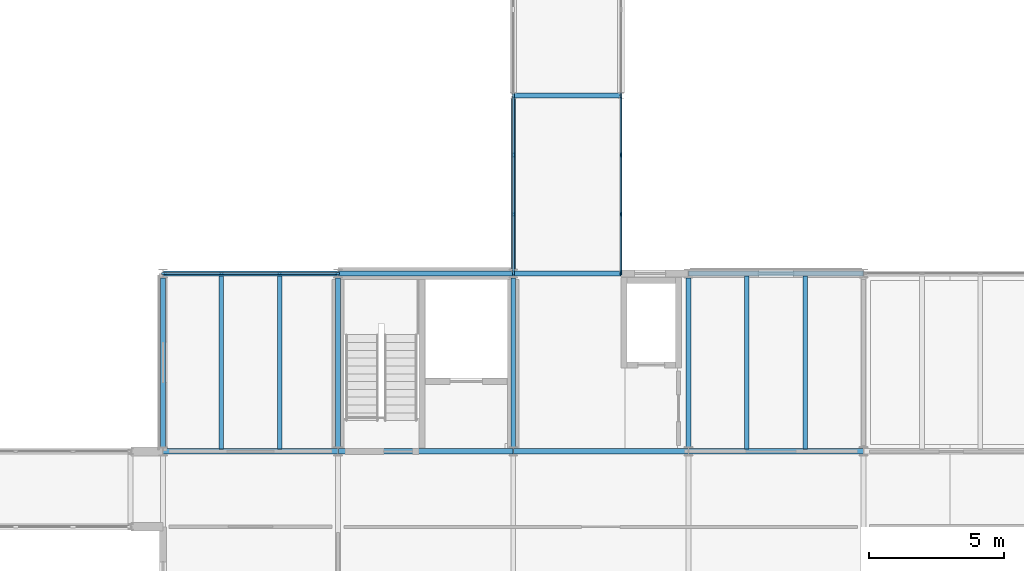
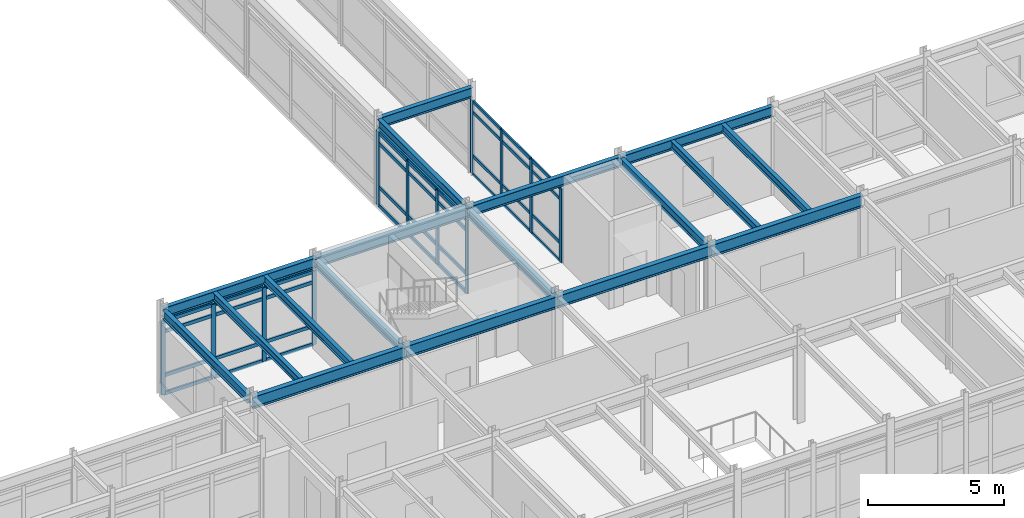
# One storey, part 70 of 144: 50 members, 18 beams, 5 elements without a shape of their own.
"""IFC4 building model written with IfcOpenShell, lengths in metres."""

from ifc_helpers import new_model, si_unit, direction, frame, origin, origin_2d, place, context, subcontext, project, spatial, rectangle, i_section, extrude, material, layer, layer_set, material_profile, profile_set, type_object, element, aggregate, save


model = new_model("IFC4")

# Units and contexts
model_context = context("Model", 3, precision=1e-05, world=origin(), true_north=direction((0.0, 1.0)))
body_context = subcontext(model_context, "Body", "Model", "MODEL_VIEW")
ifc_project = project(units=[si_unit("LENGTHUNIT", "METRE"), si_unit("AREAUNIT", "SQUARE_METRE"), si_unit("VOLUMEUNIT", "CUBIC_METRE"), si_unit("PLANEANGLEUNIT", "RADIAN"), si_unit("MASSUNIT", "GRAM", prefix="KILO")], contexts=[model_context])

# Site, building, storey
site_placement = place(None, origin())
site = spatial("IfcSite", under=ifc_project, at=site_placement, CompositionType="ELEMENT")
building_placement = place(site_placement, origin())
building = spatial("IfcBuilding", under=site, at=building_placement, Name="Trelmorton Wharf Fire Station", CompositionType="ELEMENT")
storey_placement = place(building_placement, frame((0.0, 0.0, 5.39990234375)))
storey = spatial("IfcBuildingStorey", under=building, at=storey_placement, Name="L01", CompositionType="ELEMENT", Elevation=5.39990234375)

# Beams
ifc_material_1 = material(Name="Steel Grade 350", Category="steel")
ifc_material_profile_1 = material_profile(ifc_material_1, i_section(OverallWidth=0.177978515625, OverallDepth=0.406005859375, WebThickness=0.0078125, FlangeThickness=0.0126953125, FilletRadius=0.011474609375, at=origin_2d()), Name="410UB59.7")
ifc_profile_set_1 = profile_set([ifc_material_profile_1], Name="Steel Grade 350")
beam_type_1 = type_object("IfcBeamType", Name="BM_410UB60", PredefinedType="BEAM", material=ifc_profile_set_1)
for number, where, z_axis, x_axis, name in (
    (1, (104.0, 21.159423828125, 3.72705078125), (0.0, 1.0, 0.0), (-1.0, 0.0, 0.0), "BM-L01-0618"),
    (2, (110.5, 21.159423828125, 3.72705078125), (0.0, 1.0, 0.0), (-1.0, 0.0, 0.0), "BM-L01-0624"),
    (3, (117.0, 21.159423828125, 3.72705078125), (0.0, 1.0, 0.0), (-1.0, 0.0, 0.0), "BM-L01-0630"),
):
    element("IfcBeam", number, at=place(storey_placement, frame(where, z_axis=z_axis, x_axis=x_axis)), inside=storey, type_object=beam_type_1, Name=name, PredefinedType="BEAM", context=body_context, shape_type="SweptSolid", body=[
        extrude(i_section(OverallWidth=0.177978515625, OverallDepth=0.406005859375, WebThickness=0.0078125, FlangeThickness=0.0126953125, FilletRadius=0.011474609375, at=origin_2d()), origin(), (0.0, 0.0, 1.0), 6.281005859375),
    ])
beam_1_placement = place(storey_placement, frame((117.0, 27.759521484375, 3.72705078125), z_axis=(0.0, 1.0, 0.0), x_axis=(-1.0, 0.0, 0.0)))
element("IfcBeam", 4, at=beam_1_placement, inside=storey, type_object=beam_type_1, Name="BM-L01-0631", PredefinedType="BEAM", context=body_context, shape_type="SweptSolid", body=[
    extrude(i_section(OverallWidth=0.177978515625, OverallDepth=0.406005859375, WebThickness=0.0078125, FlangeThickness=0.0126953125, FilletRadius=0.011474609375, at=origin_2d()), origin(), (0.0, 0.0, 1.0), 6.339599609375),
])
beam_2_placement = place(storey_placement, frame((123.5, 21.159423828125, 3.72705078125), z_axis=(0.0, 1.0, 0.0), x_axis=(-1.0, 0.0, 0.0)))
element("IfcBeam", 5, at=beam_2_placement, inside=storey, type_object=beam_type_1, Name="BM-L01-0642", PredefinedType="BEAM", context=body_context, shape_type="SweptSolid", body=[
    extrude(i_section(OverallWidth=0.177978515625, OverallDepth=0.406005859375, WebThickness=0.0078125, FlangeThickness=0.0126953125, FilletRadius=0.011474609375, at=origin_2d()), origin(), (0.0, 0.0, 1.0), 6.281005859375),
])
ifc_material_profile_2 = material_profile(ifc_material_1, i_section(OverallWidth=0.208984375, OverallDepth=0.528076171875, WebThickness=0.009521484375, FlangeThickness=0.01318359375, FilletRadius=0.013916015625, at=origin_2d()), Name="530UB82.0")
ifc_profile_set_2 = profile_set([ifc_material_profile_2], Name="Steel Grade 350")
beam_type_2 = type_object("IfcBeamType", Name="BM_530UB82", PredefinedType="BEAM", material=ifc_profile_set_2)
for number, where, z_axis, x_axis, name in (
    (6, (104.005859375, 21.0, 3.666015625), (1.0, 0.0, 0.0), (0.0, 1.0, 0.0), "BM-L01-0443"),
    (7, (110.505859375, 21.0, 3.666015625), (1.0, 0.0, 0.0), (0.0, 1.0, 0.0), "BM-L01-0444"),
    (8, (117.005859375, 21.0, 3.666015625), (1.0, 0.0, 0.0), (0.0, 1.0, 0.0), "BM-L01-0445"),
    (9, (123.505859375, 21.0, 3.666015625), (1.0, 0.0, 0.0), (0.0, 1.0, 0.0), "BM-L01-0446"),
):
    element("IfcBeam", number, at=place(storey_placement, frame(where, z_axis=z_axis, x_axis=x_axis)), inside=storey, type_object=beam_type_2, Name=name, PredefinedType="BEAM", context=body_context, shape_type="SweptSolid", body=[
        extrude(i_section(OverallWidth=0.208984375, OverallDepth=0.528076171875, WebThickness=0.009521484375, FlangeThickness=0.01318359375, FilletRadius=0.013916015625, at=origin_2d()), origin(), (0.0, 0.0, 1.0), 6.48828125),
    ])

# Curtain wall, members
ifc_material_2 = material(Name="Anodised aluminium AW-6063", Category="aluminium")
ifc_layer_1 = layer(ifc_material_2, 0.139892578125)
ifc_layer_set_1 = layer_set([ifc_layer_1], Name="Anodised aluminium AW-6063")
curtain_wall_type_1 = type_object("IfcCurtainWallType", Name="CW_BRDG_A", PredefinedType="USERDEFINED", material=ifc_layer_set_1)
curtain_wall_1_placement = place(storey_placement, origin())
curtain_wall_1 = element("IfcCurtainWall", 10, at=curtain_wall_1_placement, inside=storey, type_object=curtain_wall_type_1, Name="CW-BR-L01-161", ObjectType="UNITISED CURTAIN WALL", PredefinedType="USERDEFINED")
ifc_material_profile_3 = material_profile(ifc_material_2, rectangle(XDim=0.06494140625, YDim=0.159912109375, at=origin_2d()), Name="ALU-65x160")
ifc_profile_set_3 = profile_set([ifc_material_profile_3], Name="Anodised aluminium AW-6063")
member_type_1 = type_object("IfcMemberType", Name="CWM_65x160", PredefinedType="MULLION", material=ifc_profile_set_3)
member_1_placement = place(storey_placement, frame((121.0, 34.1650390625, 0.0), z_axis=(0.0, 0.0, 1.0), x_axis=(1.0, 0.0, 0.0)))
member_1 = element("IfcMember", 11, at=member_1_placement, type_object=member_type_1, Name="CW4 mullion 1", PredefinedType="MULLION", context=body_context, shape_type="SweptSolid", body=[
    extrude(rectangle(XDim=0.06494140625, YDim=0.159912109375, at=origin_2d()), origin(), (0.0, 0.0, 1.0), 3.320068359375),
])
member_2_placement = place(storey_placement, frame((121.0, 31.998291015625, 0.0), z_axis=(0.0, 0.0, 1.0), x_axis=(1.0, 0.0, 0.0)))
member_2 = element("IfcMember", 12, at=member_2_placement, type_object=member_type_1, Name="CW4 mullion 2", PredefinedType="MULLION", context=body_context, shape_type="SweptSolid", body=[
    extrude(rectangle(XDim=0.06494140625, YDim=0.159912109375, at=origin_2d()), origin(), (0.0, 0.0, 1.0), 3.320068359375),
])
member_3_placement = place(storey_placement, frame((121.0, 29.8017578125, 0.0), z_axis=(0.0, 0.0, 1.0), x_axis=(1.0, 0.0, 0.0)))
member_3 = element("IfcMember", 13, at=member_3_placement, type_object=member_type_1, Name="CW4 mullion 3", PredefinedType="MULLION", context=body_context, shape_type="SweptSolid", body=[
    extrude(rectangle(XDim=0.06494140625, YDim=0.159912109375, at=origin_2d()), origin(), (0.0, 0.0, 1.0), 3.320068359375),
])
member_4_placement = place(storey_placement, frame((121.0, 27.635009765625, 0.0), z_axis=(0.0, 0.0, 1.0), x_axis=(1.0, 0.0, 0.0)))
member_4 = element("IfcMember", 14, at=member_4_placement, type_object=member_type_1, Name="CW4 mullion 4", PredefinedType="MULLION", context=body_context, shape_type="SweptSolid", body=[
    extrude(rectangle(XDim=0.06494140625, YDim=0.159912109375, at=origin_2d()), origin(), (0.0, 0.0, 1.0), 3.320068359375),
])

# Curtain wall, member
curtain_wall_2_placement = place(storey_placement, origin())
curtain_wall_2 = element("IfcCurtainWall", 15, at=curtain_wall_2_placement, inside=storey, type_object=curtain_wall_type_1, Name="CW-BR-L01-163", ObjectType="UNITISED CURTAIN WALL", PredefinedType="USERDEFINED")
member_5_placement = place(storey_placement, frame((121.0, 34.235107421875, 0.0), z_axis=(0.0, 0.0, 1.0), x_axis=(1.0, 0.0, 0.0)))
member_5 = element("IfcMember", 16, at=member_5_placement, type_object=member_type_1, Name="CW4 mullion 4", PredefinedType="MULLION", context=body_context, shape_type="SweptSolid", body=[
    extrude(rectangle(XDim=0.06494140625, YDim=0.159912109375, at=origin_2d()), origin(), (0.0, 0.0, 1.0), 3.320068359375),
])
aggregate(curtain_wall_2, [member_5])

# Curtain wall, members
ifc_layer_2 = layer(ifc_material_2, 0.14990234375)
ifc_layer_set_2 = layer_set([ifc_layer_2], Name="Anodised aluminium AW-6063")
curtain_wall_type_2 = type_object("IfcCurtainWallType", Name="CW_UNIT_A", PredefinedType="USERDEFINED", material=ifc_layer_set_2)
curtain_wall_3_placement = place(storey_placement, origin())
curtain_wall_3 = element("IfcCurtainWall", 17, at=curtain_wall_3_placement, inside=storey, type_object=curtain_wall_type_2, Name="CW-V5-L01-046", ObjectType="UNITISED CURTAIN WALL", PredefinedType="USERDEFINED")
ifc_material_profile_4 = material_profile(ifc_material_2, rectangle(XDim=0.074951171875, YDim=0.175048828125, at=origin_2d()), Name="ALU-75x175")
ifc_profile_set_4 = profile_set([ifc_material_profile_4], Name="Anodised aluminium AW-6063")
member_type_2 = type_object("IfcMemberType", Name="CWM_75x175", PredefinedType="MULLION", material=ifc_profile_set_4)
member_6_placement = place(storey_placement, frame((104.034912109375, 27.60009765625, 0.0), z_axis=(0.0, 0.0, 1.0), x_axis=(0.0, 1.0, 0.0)))
member_6 = element("IfcMember", 18, at=member_6_placement, type_object=member_type_2, Name="CW3 mullion 1", PredefinedType="MULLION", context=body_context, shape_type="SweptSolid", body=[
    extrude(rectangle(XDim=0.074951171875, YDim=0.175048828125, at=origin_2d()), origin(), (0.0, 0.0, 1.0), 3.320068359375),
])
member_7_placement = place(storey_placement, frame((106.168212890625, 27.60009765625, 0.0), z_axis=(0.0, 0.0, 1.0), x_axis=(0.0, 1.0, 0.0)))
member_7 = element("IfcMember", 19, at=member_7_placement, type_object=member_type_2, Name="CW3 mullion 2", PredefinedType="MULLION", context=body_context, shape_type="SweptSolid", body=[
    extrude(rectangle(XDim=0.074951171875, YDim=0.175048828125, at=origin_2d()), origin(), (0.0, 0.0, 1.0), 3.320068359375),
])
member_8_placement = place(storey_placement, frame((108.331787109375, 27.60009765625, 0.0), z_axis=(0.0, 0.0, 1.0), x_axis=(0.0, 1.0, 0.0)))
member_8 = element("IfcMember", 20, at=member_8_placement, type_object=member_type_2, Name="CW3 mullion 3", PredefinedType="MULLION", context=body_context, shape_type="SweptSolid", body=[
    extrude(rectangle(XDim=0.074951171875, YDim=0.175048828125, at=origin_2d()), origin(), (0.0, 0.0, 1.0), 3.320068359375),
])
member_9_placement = place(storey_placement, frame((110.465087890625, 27.60009765625, 0.0), z_axis=(0.0, 0.0, 1.0), x_axis=(0.0, 1.0, 0.0)))
member_9 = element("IfcMember", 21, at=member_9_placement, type_object=member_type_2, Name="CW3 mullion 4", PredefinedType="MULLION", context=body_context, shape_type="SweptSolid", body=[
    extrude(rectangle(XDim=0.074951171875, YDim=0.175048828125, at=origin_2d()), origin(), (0.0, 0.0, 1.0), 3.320068359375),
])

curtain_wall_4_placement = place(storey_placement, origin())
curtain_wall_4 = element("IfcCurtainWall", 22, at=curtain_wall_4_placement, inside=storey, type_object=curtain_wall_type_1, Name="CW-BR-L01-160", ObjectType="UNITISED CURTAIN WALL", PredefinedType="USERDEFINED")
member_10_placement = place(storey_placement, frame((117.0, 27.635009765625, 0.0), z_axis=(0.0, 0.0, 1.0), x_axis=(-1.0, 0.0, 0.0)))
member_10 = element("IfcMember", 23, at=member_10_placement, type_object=member_type_2, Name="CW4 mullion 1", PredefinedType="MULLION", context=body_context, shape_type="SweptSolid", body=[
    extrude(rectangle(XDim=0.074951171875, YDim=0.175048828125, at=origin_2d()), origin(), (0.0, 0.0, 1.0), 3.320068359375),
])
member_11_placement = place(storey_placement, frame((117.0, 29.8017578125, 0.0), z_axis=(0.0, 0.0, 1.0), x_axis=(-1.0, 0.0, 0.0)))
member_11 = element("IfcMember", 24, at=member_11_placement, type_object=member_type_2, Name="CW4 mullion 2", PredefinedType="MULLION", context=body_context, shape_type="SweptSolid", body=[
    extrude(rectangle(XDim=0.074951171875, YDim=0.175048828125, at=origin_2d()), origin(), (0.0, 0.0, 1.0), 3.320068359375),
])
member_12_placement = place(storey_placement, frame((117.0, 31.998291015625, 0.0), z_axis=(0.0, 0.0, 1.0), x_axis=(-1.0, 0.0, 0.0)))
member_12 = element("IfcMember", 25, at=member_12_placement, type_object=member_type_2, Name="CW4 mullion 3", PredefinedType="MULLION", context=body_context, shape_type="SweptSolid", body=[
    extrude(rectangle(XDim=0.074951171875, YDim=0.175048828125, at=origin_2d()), origin(), (0.0, 0.0, 1.0), 3.320068359375),
])
member_13_placement = place(storey_placement, frame((117.0, 34.1650390625, 0.0), z_axis=(0.0, 0.0, 1.0), x_axis=(-1.0, 0.0, 0.0)))
member_13 = element("IfcMember", 26, at=member_13_placement, type_object=member_type_2, Name="CW4 mullion 4", PredefinedType="MULLION", context=body_context, shape_type="SweptSolid", body=[
    extrude(rectangle(XDim=0.074951171875, YDim=0.175048828125, at=origin_2d()), origin(), (0.0, 0.0, 1.0), 3.320068359375),
])

# Curtain wall, member
curtain_wall_5_placement = place(storey_placement, origin())
curtain_wall_5 = element("IfcCurtainWall", 27, at=curtain_wall_5_placement, inside=storey, type_object=curtain_wall_type_1, Name="CW-BR-L01-162", ObjectType="UNITISED CURTAIN WALL", PredefinedType="USERDEFINED")
member_14_placement = place(storey_placement, frame((117.0, 34.235107421875, 0.0), z_axis=(0.0, 0.0, 1.0), x_axis=(-1.0, 0.0, 0.0)))
member_14 = element("IfcMember", 28, at=member_14_placement, type_object=member_type_2, Name="CW4 mullion 1", PredefinedType="MULLION", context=body_context, shape_type="SweptSolid", body=[
    extrude(rectangle(XDim=0.074951171875, YDim=0.175048828125, at=origin_2d()), origin(), (0.0, 0.0, 1.0), 3.320068359375),
])
aggregate(curtain_wall_5, [member_14])

# Member
ifc_material_profile_5 = material_profile(ifc_material_2, rectangle(XDim=0.06494140625, YDim=0.139892578125, at=origin_2d()), Name="ALU-65x140")
ifc_profile_set_5 = profile_set([ifc_material_profile_5], Name="Anodised aluminium AW-6063")
member_type_3 = type_object("IfcMemberType", Name="CWT_65x140", PredefinedType="USERDEFINED", material=ifc_profile_set_5)
member_15_placement = place(storey_placement, frame((121.0, 34.135009765625, 0.030029296875), z_axis=(0.0, -1.0, 0.0), x_axis=(1.0, 0.0, 0.0)))
member_15 = element("IfcMember", 29, at=member_15_placement, type_object=member_type_3, Name="CW4 transom 1.1", ObjectType="TRANSOM", PredefinedType="USERDEFINED", context=body_context, shape_type="SweptSolid", body=[
    extrude(rectangle(XDim=0.06494140625, YDim=0.139892578125, at=origin_2d()), origin(), (0.0, 0.0, 1.0), 2.106689453125),
])

member_16_placement = place(storey_placement, frame((121.0, 34.135009765625, 0.85009765625), z_axis=(0.0, -1.0, 0.0), x_axis=(1.0, 0.0, 0.0)))
member_16 = element("IfcMember", 30, at=member_16_placement, type_object=member_type_3, Name="CW4 transom 1.2", ObjectType="TRANSOM", PredefinedType="USERDEFINED", context=body_context, shape_type="SweptSolid", body=[
    extrude(rectangle(XDim=0.06494140625, YDim=0.139892578125, at=origin_2d()), origin(), (0.0, 0.0, 1.0), 2.106689453125),
])

member_17_placement = place(storey_placement, frame((121.0, 34.135009765625, 2.820068359375), z_axis=(0.0, -1.0, 0.0), x_axis=(1.0, 0.0, 0.0)))
member_17 = element("IfcMember", 31, at=member_17_placement, type_object=member_type_3, Name="CW4 transom 1.3", ObjectType="TRANSOM", PredefinedType="USERDEFINED", context=body_context, shape_type="SweptSolid", body=[
    extrude(rectangle(XDim=0.06494140625, YDim=0.139892578125, at=origin_2d()), origin(), (0.0, 0.0, 1.0), 2.106689453125),
])

member_18_placement = place(storey_placement, frame((121.0, 34.135009765625, 3.2900390625), z_axis=(0.0, -1.0, 0.0), x_axis=(1.0, 0.0, 0.0)))
member_18 = element("IfcMember", 32, at=member_18_placement, type_object=member_type_3, Name="CW4 transom 1.4", ObjectType="TRANSOM", PredefinedType="USERDEFINED", context=body_context, shape_type="SweptSolid", body=[
    extrude(rectangle(XDim=0.06494140625, YDim=0.139892578125, at=origin_2d()), origin(), (0.0, 0.0, 1.0), 2.106689453125),
])

member_19_placement = place(storey_placement, frame((121.0, 31.96826171875, 0.030029296875), z_axis=(0.0, -1.0, 0.0), x_axis=(1.0, 0.0, 0.0)))
member_19 = element("IfcMember", 33, at=member_19_placement, type_object=member_type_3, Name="CW4 transom 2.1", ObjectType="TRANSOM", PredefinedType="USERDEFINED", context=body_context, shape_type="SweptSolid", body=[
    extrude(rectangle(XDim=0.06494140625, YDim=0.139892578125, at=origin_2d()), origin(), (0.0, 0.0, 1.0), 2.136474609375),
])

member_20_placement = place(storey_placement, frame((121.0, 31.96826171875, 0.85009765625), z_axis=(0.0, -1.0, 0.0), x_axis=(1.0, 0.0, 0.0)))
member_20 = element("IfcMember", 34, at=member_20_placement, type_object=member_type_3, Name="CW4 transom 2.2", ObjectType="TRANSOM", PredefinedType="USERDEFINED", context=body_context, shape_type="SweptSolid", body=[
    extrude(rectangle(XDim=0.06494140625, YDim=0.139892578125, at=origin_2d()), origin(), (0.0, 0.0, 1.0), 2.136474609375),
])

member_21_placement = place(storey_placement, frame((121.0, 31.96826171875, 2.820068359375), z_axis=(0.0, -1.0, 0.0), x_axis=(1.0, 0.0, 0.0)))
member_21 = element("IfcMember", 35, at=member_21_placement, type_object=member_type_3, Name="CW4 transom 2.3", ObjectType="TRANSOM", PredefinedType="USERDEFINED", context=body_context, shape_type="SweptSolid", body=[
    extrude(rectangle(XDim=0.06494140625, YDim=0.139892578125, at=origin_2d()), origin(), (0.0, 0.0, 1.0), 2.136474609375),
])

member_22_placement = place(storey_placement, frame((121.0, 31.96826171875, 3.2900390625), z_axis=(0.0, -1.0, 0.0), x_axis=(1.0, 0.0, 0.0)))
member_22 = element("IfcMember", 36, at=member_22_placement, type_object=member_type_3, Name="CW4 transom 2.4", ObjectType="TRANSOM", PredefinedType="USERDEFINED", context=body_context, shape_type="SweptSolid", body=[
    extrude(rectangle(XDim=0.06494140625, YDim=0.139892578125, at=origin_2d()), origin(), (0.0, 0.0, 1.0), 2.136474609375),
])

member_23_placement = place(storey_placement, frame((121.0, 29.771728515625, 0.030029296875), z_axis=(0.0, -1.0, 0.0), x_axis=(1.0, 0.0, 0.0)))
member_23 = element("IfcMember", 37, at=member_23_placement, type_object=member_type_3, Name="CW4 transom 3.1", ObjectType="TRANSOM", PredefinedType="USERDEFINED", context=body_context, shape_type="SweptSolid", body=[
    extrude(rectangle(XDim=0.06494140625, YDim=0.139892578125, at=origin_2d()), origin(), (0.0, 0.0, 1.0), 2.106689453125),
])

member_24_placement = place(storey_placement, frame((121.0, 29.771728515625, 0.85009765625), z_axis=(0.0, -1.0, 0.0), x_axis=(1.0, 0.0, 0.0)))
member_24 = element("IfcMember", 38, at=member_24_placement, type_object=member_type_3, Name="CW4 transom 3.2", ObjectType="TRANSOM", PredefinedType="USERDEFINED", context=body_context, shape_type="SweptSolid", body=[
    extrude(rectangle(XDim=0.06494140625, YDim=0.139892578125, at=origin_2d()), origin(), (0.0, 0.0, 1.0), 2.106689453125),
])

member_25_placement = place(storey_placement, frame((121.0, 29.771728515625, 2.820068359375), z_axis=(0.0, -1.0, 0.0), x_axis=(1.0, 0.0, 0.0)))
member_25 = element("IfcMember", 39, at=member_25_placement, type_object=member_type_3, Name="CW4 transom 3.3", ObjectType="TRANSOM", PredefinedType="USERDEFINED", context=body_context, shape_type="SweptSolid", body=[
    extrude(rectangle(XDim=0.06494140625, YDim=0.139892578125, at=origin_2d()), origin(), (0.0, 0.0, 1.0), 2.106689453125),
])

member_26_placement = place(storey_placement, frame((121.0, 29.771728515625, 3.2900390625), z_axis=(0.0, -1.0, 0.0), x_axis=(1.0, 0.0, 0.0)))
member_26 = element("IfcMember", 40, at=member_26_placement, type_object=member_type_3, Name="CW4 transom 3.4", ObjectType="TRANSOM", PredefinedType="USERDEFINED", context=body_context, shape_type="SweptSolid", body=[
    extrude(rectangle(XDim=0.06494140625, YDim=0.139892578125, at=origin_2d()), origin(), (0.0, 0.0, 1.0), 2.106689453125),
])

aggregate(curtain_wall_1, [member_1, member_2, member_3, member_4, member_15, member_16, member_17, member_18, member_19, member_20, member_21, member_22, member_23, member_24, member_25, member_26])

ifc_material_profile_6 = material_profile(ifc_material_2, rectangle(XDim=0.074951171875, YDim=0.155029296875, at=origin_2d()), Name="ALU-75x155")
ifc_profile_set_6 = profile_set([ifc_material_profile_6], Name="Anodised aluminium AW-6063")
member_type_4 = type_object("IfcMemberType", Name="CWT_75x155", PredefinedType="USERDEFINED", material=ifc_profile_set_6)
member_27_placement = place(storey_placement, frame((104.06494140625, 27.60009765625, 0.030029296875), z_axis=(1.0, 0.0, 0.0), x_axis=(0.0, 1.0, 0.0)))
member_27 = element("IfcMember", 41, at=member_27_placement, type_object=member_type_4, Name="CW3 transom 1.1", ObjectType="TRANSOM", PredefinedType="USERDEFINED", context=body_context, shape_type="SweptSolid", body=[
    extrude(rectangle(XDim=0.074951171875, YDim=0.155029296875, at=origin_2d()), origin(), (0.0, 0.0, 1.0), 2.073486328125),
])

member_28_placement = place(storey_placement, frame((104.06494140625, 27.60009765625, 0.85009765625), z_axis=(1.0, 0.0, 0.0), x_axis=(0.0, 1.0, 0.0)))
member_28 = element("IfcMember", 42, at=member_28_placement, type_object=member_type_4, Name="CW3 transom 1.2", ObjectType="TRANSOM", PredefinedType="USERDEFINED", context=body_context, shape_type="SweptSolid", body=[
    extrude(rectangle(XDim=0.074951171875, YDim=0.155029296875, at=origin_2d()), origin(), (0.0, 0.0, 1.0), 2.073486328125),
])

member_29_placement = place(storey_placement, frame((104.06494140625, 27.60009765625, 2.820068359375), z_axis=(1.0, 0.0, 0.0), x_axis=(0.0, 1.0, 0.0)))
member_29 = element("IfcMember", 43, at=member_29_placement, type_object=member_type_4, Name="CW3 transom 1.3", ObjectType="TRANSOM", PredefinedType="USERDEFINED", context=body_context, shape_type="SweptSolid", body=[
    extrude(rectangle(XDim=0.074951171875, YDim=0.155029296875, at=origin_2d()), origin(), (0.0, 0.0, 1.0), 2.073486328125),
])

member_30_placement = place(storey_placement, frame((104.06494140625, 27.60009765625, 3.2900390625), z_axis=(1.0, 0.0, 0.0), x_axis=(0.0, 1.0, 0.0)))
member_30 = element("IfcMember", 44, at=member_30_placement, type_object=member_type_4, Name="CW3 transom 1.4", ObjectType="TRANSOM", PredefinedType="USERDEFINED", context=body_context, shape_type="SweptSolid", body=[
    extrude(rectangle(XDim=0.074951171875, YDim=0.155029296875, at=origin_2d()), origin(), (0.0, 0.0, 1.0), 2.073486328125),
])

member_31_placement = place(storey_placement, frame((106.1982421875, 27.60009765625, 0.030029296875), z_axis=(1.0, 0.0, 0.0), x_axis=(0.0, 1.0, 0.0)))
member_31 = element("IfcMember", 45, at=member_31_placement, type_object=member_type_4, Name="CW3 transom 2.1", ObjectType="TRANSOM", PredefinedType="USERDEFINED", context=body_context, shape_type="SweptSolid", body=[
    extrude(rectangle(XDim=0.074951171875, YDim=0.155029296875, at=origin_2d()), origin(), (0.0, 0.0, 1.0), 2.103515625),
])

member_32_placement = place(storey_placement, frame((106.1982421875, 27.60009765625, 0.85009765625), z_axis=(1.0, 0.0, 0.0), x_axis=(0.0, 1.0, 0.0)))
member_32 = element("IfcMember", 46, at=member_32_placement, type_object=member_type_4, Name="CW3 transom 2.2", ObjectType="TRANSOM", PredefinedType="USERDEFINED", context=body_context, shape_type="SweptSolid", body=[
    extrude(rectangle(XDim=0.074951171875, YDim=0.155029296875, at=origin_2d()), origin(), (0.0, 0.0, 1.0), 2.103515625),
])

member_33_placement = place(storey_placement, frame((106.1982421875, 27.60009765625, 2.820068359375), z_axis=(1.0, 0.0, 0.0), x_axis=(0.0, 1.0, 0.0)))
member_33 = element("IfcMember", 47, at=member_33_placement, type_object=member_type_4, Name="CW3 transom 2.3", ObjectType="TRANSOM", PredefinedType="USERDEFINED", context=body_context, shape_type="SweptSolid", body=[
    extrude(rectangle(XDim=0.074951171875, YDim=0.155029296875, at=origin_2d()), origin(), (0.0, 0.0, 1.0), 2.103515625),
])

member_34_placement = place(storey_placement, frame((106.1982421875, 27.60009765625, 3.2900390625), z_axis=(1.0, 0.0, 0.0), x_axis=(0.0, 1.0, 0.0)))
member_34 = element("IfcMember", 48, at=member_34_placement, type_object=member_type_4, Name="CW3 transom 2.4", ObjectType="TRANSOM", PredefinedType="USERDEFINED", context=body_context, shape_type="SweptSolid", body=[
    extrude(rectangle(XDim=0.074951171875, YDim=0.155029296875, at=origin_2d()), origin(), (0.0, 0.0, 1.0), 2.103515625),
])

member_35_placement = place(storey_placement, frame((108.361572265625, 27.60009765625, 0.030029296875), z_axis=(1.0, 0.0, 0.0), x_axis=(0.0, 1.0, 0.0)))
member_35 = element("IfcMember", 49, at=member_35_placement, type_object=member_type_4, Name="CW3 transom 3.1", ObjectType="TRANSOM", PredefinedType="USERDEFINED", context=body_context, shape_type="SweptSolid", body=[
    extrude(rectangle(XDim=0.074951171875, YDim=0.155029296875, at=origin_2d()), origin(), (0.0, 0.0, 1.0), 2.073486328125),
])

member_36_placement = place(storey_placement, frame((108.361572265625, 27.60009765625, 0.85009765625), z_axis=(1.0, 0.0, 0.0), x_axis=(0.0, 1.0, 0.0)))
member_36 = element("IfcMember", 50, at=member_36_placement, type_object=member_type_4, Name="CW3 transom 3.2", ObjectType="TRANSOM", PredefinedType="USERDEFINED", context=body_context, shape_type="SweptSolid", body=[
    extrude(rectangle(XDim=0.074951171875, YDim=0.155029296875, at=origin_2d()), origin(), (0.0, 0.0, 1.0), 2.073486328125),
])

member_37_placement = place(storey_placement, frame((108.361572265625, 27.60009765625, 2.820068359375), z_axis=(1.0, 0.0, 0.0), x_axis=(0.0, 1.0, 0.0)))
member_37 = element("IfcMember", 51, at=member_37_placement, type_object=member_type_4, Name="CW3 transom 3.3", ObjectType="TRANSOM", PredefinedType="USERDEFINED", context=body_context, shape_type="SweptSolid", body=[
    extrude(rectangle(XDim=0.074951171875, YDim=0.155029296875, at=origin_2d()), origin(), (0.0, 0.0, 1.0), 2.073486328125),
])

member_38_placement = place(storey_placement, frame((108.361572265625, 27.60009765625, 3.2900390625), z_axis=(1.0, 0.0, 0.0), x_axis=(0.0, 1.0, 0.0)))
member_38 = element("IfcMember", 52, at=member_38_placement, type_object=member_type_4, Name="CW3 transom 3.4", ObjectType="TRANSOM", PredefinedType="USERDEFINED", context=body_context, shape_type="SweptSolid", body=[
    extrude(rectangle(XDim=0.074951171875, YDim=0.155029296875, at=origin_2d()), origin(), (0.0, 0.0, 1.0), 2.073486328125),
])

aggregate(curtain_wall_3, [member_6, member_7, member_8, member_9, member_27, member_28, member_29, member_30, member_31, member_32, member_33, member_34, member_35, member_36, member_37, member_38])

member_39_placement = place(storey_placement, frame((117.0, 27.6650390625, 0.030029296875), z_axis=(0.0, 1.0, 0.0), x_axis=(-1.0, 0.0, 0.0)))
member_39 = element("IfcMember", 53, at=member_39_placement, type_object=member_type_4, Name="CW4 transom 1.1", ObjectType="TRANSOM", PredefinedType="USERDEFINED", context=body_context, shape_type="SweptSolid", body=[
    extrude(rectangle(XDim=0.074951171875, YDim=0.155029296875, at=origin_2d()), origin(), (0.0, 0.0, 1.0), 2.106689453125),
])

member_40_placement = place(storey_placement, frame((117.0, 27.6650390625, 0.85009765625), z_axis=(0.0, 1.0, 0.0), x_axis=(-1.0, 0.0, 0.0)))
member_40 = element("IfcMember", 54, at=member_40_placement, type_object=member_type_4, Name="CW4 transom 1.2", ObjectType="TRANSOM", PredefinedType="USERDEFINED", context=body_context, shape_type="SweptSolid", body=[
    extrude(rectangle(XDim=0.074951171875, YDim=0.155029296875, at=origin_2d()), origin(), (0.0, 0.0, 1.0), 2.106689453125),
])

member_41_placement = place(storey_placement, frame((117.0, 27.6650390625, 2.820068359375), z_axis=(0.0, 1.0, 0.0), x_axis=(-1.0, 0.0, 0.0)))
member_41 = element("IfcMember", 55, at=member_41_placement, type_object=member_type_4, Name="CW4 transom 1.3", ObjectType="TRANSOM", PredefinedType="USERDEFINED", context=body_context, shape_type="SweptSolid", body=[
    extrude(rectangle(XDim=0.074951171875, YDim=0.155029296875, at=origin_2d()), origin(), (0.0, 0.0, 1.0), 2.106689453125),
])

member_42_placement = place(storey_placement, frame((117.0, 27.6650390625, 3.2900390625), z_axis=(0.0, 1.0, 0.0), x_axis=(-1.0, 0.0, 0.0)))
member_42 = element("IfcMember", 56, at=member_42_placement, type_object=member_type_4, Name="CW4 transom 1.4", ObjectType="TRANSOM", PredefinedType="USERDEFINED", context=body_context, shape_type="SweptSolid", body=[
    extrude(rectangle(XDim=0.074951171875, YDim=0.155029296875, at=origin_2d()), origin(), (0.0, 0.0, 1.0), 2.106689453125),
])

member_43_placement = place(storey_placement, frame((117.0, 29.831787109375, 0.030029296875), z_axis=(0.0, 1.0, 0.0), x_axis=(-1.0, 0.0, 0.0)))
member_43 = element("IfcMember", 57, at=member_43_placement, type_object=member_type_4, Name="CW4 transom 2.1", ObjectType="TRANSOM", PredefinedType="USERDEFINED", context=body_context, shape_type="SweptSolid", body=[
    extrude(rectangle(XDim=0.074951171875, YDim=0.155029296875, at=origin_2d()), origin(), (0.0, 0.0, 1.0), 2.136474609375),
])

member_44_placement = place(storey_placement, frame((117.0, 29.831787109375, 0.85009765625), z_axis=(0.0, 1.0, 0.0), x_axis=(-1.0, 0.0, 0.0)))
member_44 = element("IfcMember", 58, at=member_44_placement, type_object=member_type_4, Name="CW4 transom 2.2", ObjectType="TRANSOM", PredefinedType="USERDEFINED", context=body_context, shape_type="SweptSolid", body=[
    extrude(rectangle(XDim=0.074951171875, YDim=0.155029296875, at=origin_2d()), origin(), (0.0, 0.0, 1.0), 2.136474609375),
])

member_45_placement = place(storey_placement, frame((117.0, 29.831787109375, 2.820068359375), z_axis=(0.0, 1.0, 0.0), x_axis=(-1.0, 0.0, 0.0)))
member_45 = element("IfcMember", 59, at=member_45_placement, type_object=member_type_4, Name="CW4 transom 2.3", ObjectType="TRANSOM", PredefinedType="USERDEFINED", context=body_context, shape_type="SweptSolid", body=[
    extrude(rectangle(XDim=0.074951171875, YDim=0.155029296875, at=origin_2d()), origin(), (0.0, 0.0, 1.0), 2.136474609375),
])

member_46_placement = place(storey_placement, frame((117.0, 29.831787109375, 3.2900390625), z_axis=(0.0, 1.0, 0.0), x_axis=(-1.0, 0.0, 0.0)))
member_46 = element("IfcMember", 60, at=member_46_placement, type_object=member_type_4, Name="CW4 transom 2.4", ObjectType="TRANSOM", PredefinedType="USERDEFINED", context=body_context, shape_type="SweptSolid", body=[
    extrude(rectangle(XDim=0.074951171875, YDim=0.155029296875, at=origin_2d()), origin(), (0.0, 0.0, 1.0), 2.136474609375),
])

member_47_placement = place(storey_placement, frame((117.0, 32.0283203125, 0.030029296875), z_axis=(0.0, 1.0, 0.0), x_axis=(-1.0, 0.0, 0.0)))
member_47 = element("IfcMember", 61, at=member_47_placement, type_object=member_type_4, Name="CW4 transom 3.1", ObjectType="TRANSOM", PredefinedType="USERDEFINED", context=body_context, shape_type="SweptSolid", body=[
    extrude(rectangle(XDim=0.074951171875, YDim=0.155029296875, at=origin_2d()), origin(), (0.0, 0.0, 1.0), 2.106689453125),
])

member_48_placement = place(storey_placement, frame((117.0, 32.0283203125, 0.85009765625), z_axis=(0.0, 1.0, 0.0), x_axis=(-1.0, 0.0, 0.0)))
member_48 = element("IfcMember", 62, at=member_48_placement, type_object=member_type_4, Name="CW4 transom 3.2", ObjectType="TRANSOM", PredefinedType="USERDEFINED", context=body_context, shape_type="SweptSolid", body=[
    extrude(rectangle(XDim=0.074951171875, YDim=0.155029296875, at=origin_2d()), origin(), (0.0, 0.0, 1.0), 2.106689453125),
])

member_49_placement = place(storey_placement, frame((117.0, 32.0283203125, 2.820068359375), z_axis=(0.0, 1.0, 0.0), x_axis=(-1.0, 0.0, 0.0)))
member_49 = element("IfcMember", 63, at=member_49_placement, type_object=member_type_4, Name="CW4 transom 3.3", ObjectType="TRANSOM", PredefinedType="USERDEFINED", context=body_context, shape_type="SweptSolid", body=[
    extrude(rectangle(XDim=0.074951171875, YDim=0.155029296875, at=origin_2d()), origin(), (0.0, 0.0, 1.0), 2.106689453125),
])

member_50_placement = place(storey_placement, frame((117.0, 32.0283203125, 3.2900390625), z_axis=(0.0, 1.0, 0.0), x_axis=(-1.0, 0.0, 0.0)))
member_50 = element("IfcMember", 64, at=member_50_placement, type_object=member_type_4, Name="CW4 transom 3.4", ObjectType="TRANSOM", PredefinedType="USERDEFINED", context=body_context, shape_type="SweptSolid", body=[
    extrude(rectangle(XDim=0.074951171875, YDim=0.155029296875, at=origin_2d()), origin(), (0.0, 0.0, 1.0), 2.106689453125),
])

aggregate(curtain_wall_4, [member_10, member_11, member_12, member_13, member_39, member_40, member_41, member_42, member_43, member_44, member_45, member_46, member_47, member_48, member_49, member_50])

# Beams
ifc_material_profile_7 = material_profile(ifc_material_1, i_section(OverallWidth=0.172119140625, OverallDepth=0.35888671875, WebThickness=0.008056640625, FlangeThickness=0.012939453125, FilletRadius=0.011474609375, at=origin_2d()), Name="360UB56.7")
ifc_profile_set_7 = profile_set([ifc_material_profile_7], Name="Steel Grade 350")
beam_type_3 = type_object("IfcBeamType", Name="JS_360UB57", PredefinedType="JOIST", material=ifc_profile_set_7)
for number, where, z_axis, x_axis, name in (
    (65, (106.166748046875, 21.090087890625, 3.75048828125), (0.0, 1.0, 0.0), (-1.0, 0.0, 0.0), "JS-L01-0157"),
    (66, (108.333251953125, 21.090087890625, 3.75048828125), (0.0, 1.0, 0.0), (-1.0, 0.0, 0.0), "JS-L01-0158"),
    (67, (125.666748046875, 21.090087890625, 3.75048828125), (0.0, 1.0, 0.0), (-1.0, 0.0, 0.0), "JS-L01-0173"),
    (68, (127.833251953125, 21.090087890625, 3.75048828125), (0.0, 1.0, 0.0), (-1.0, 0.0, 0.0), "JS-L01-0174"),
):
    element("IfcBeam", number, at=place(storey_placement, frame(where, z_axis=z_axis, x_axis=x_axis)), inside=storey, type_object=beam_type_3, Name=name, PredefinedType="JOIST", context=body_context, shape_type="SweptSolid", body=[
        extrude(i_section(OverallWidth=0.172119140625, OverallDepth=0.35888671875, WebThickness=0.008056640625, FlangeThickness=0.012939453125, FilletRadius=0.011474609375, at=origin_2d()), origin(), (0.0, 0.0, 1.0), 6.419921875),
    ])
ifc_material_profile_8 = material_profile(ifc_material_1, i_section(OverallWidth=0.18994140625, OverallDepth=0.45703125, WebThickness=0.009033203125, FlangeThickness=0.014404296875, FilletRadius=0.011474609375, at=origin_2d()), Name="460UB74.6")
ifc_profile_set_8 = profile_set([ifc_material_profile_8], Name="Steel Grade 350")
beam_type_4 = type_object("IfcBeamType", Name="SP_460UB75", PredefinedType="SPANDREL", material=ifc_profile_set_8)
for number, where, z_axis, x_axis, name in (
    (69, (104.005859375, 27.60009765625, 3.70166015625), (1.0, 0.0, 0.0), (0.0, 1.0, 0.0), "BM-L01-0462"),
    (70, (110.505859375, 27.60009765625, 3.70166015625), (1.0, 0.0, 0.0), (0.0, 1.0, 0.0), "BM-L01-0463"),
    (71, (117.005859375, 27.60009765625, 3.70166015625), (1.0, 0.0, 0.0), (0.0, 1.0, 0.0), "BM-L01-0464"),
    (72, (123.505859375, 27.60009765625, 3.70166015625), (1.0, 0.0, 0.0), (0.0, 1.0, 0.0), "BM-L01-0465"),
):
    element("IfcBeam", number, at=place(storey_placement, frame(where, z_axis=z_axis, x_axis=x_axis)), inside=storey, type_object=beam_type_4, Name=name, PredefinedType="SPANDREL", context=body_context, shape_type="SweptSolid", body=[
        extrude(i_section(OverallWidth=0.18994140625, OverallDepth=0.45703125, WebThickness=0.009033203125, FlangeThickness=0.014404296875, FilletRadius=0.011474609375, at=origin_2d()), origin(), (0.0, 0.0, 1.0), 6.48828125),
    ])
beam_3_placement = place(storey_placement, frame((117.00390625, 34.199951171875, 3.70166015625), z_axis=(1.0, 0.0, 0.0), x_axis=(0.0, 1.0, 0.0)))
element("IfcBeam", 73, at=beam_3_placement, inside=storey, type_object=beam_type_4, Name="BM-L01-0481", PredefinedType="SPANDREL", context=body_context, shape_type="SweptSolid", body=[
    extrude(i_section(OverallWidth=0.18994140625, OverallDepth=0.45703125, WebThickness=0.009033203125, FlangeThickness=0.014404296875, FilletRadius=0.011474609375, at=origin_2d()), origin(), (0.0, 0.0, 1.0), 3.9921875),
])

save(model, "model.ifc")
